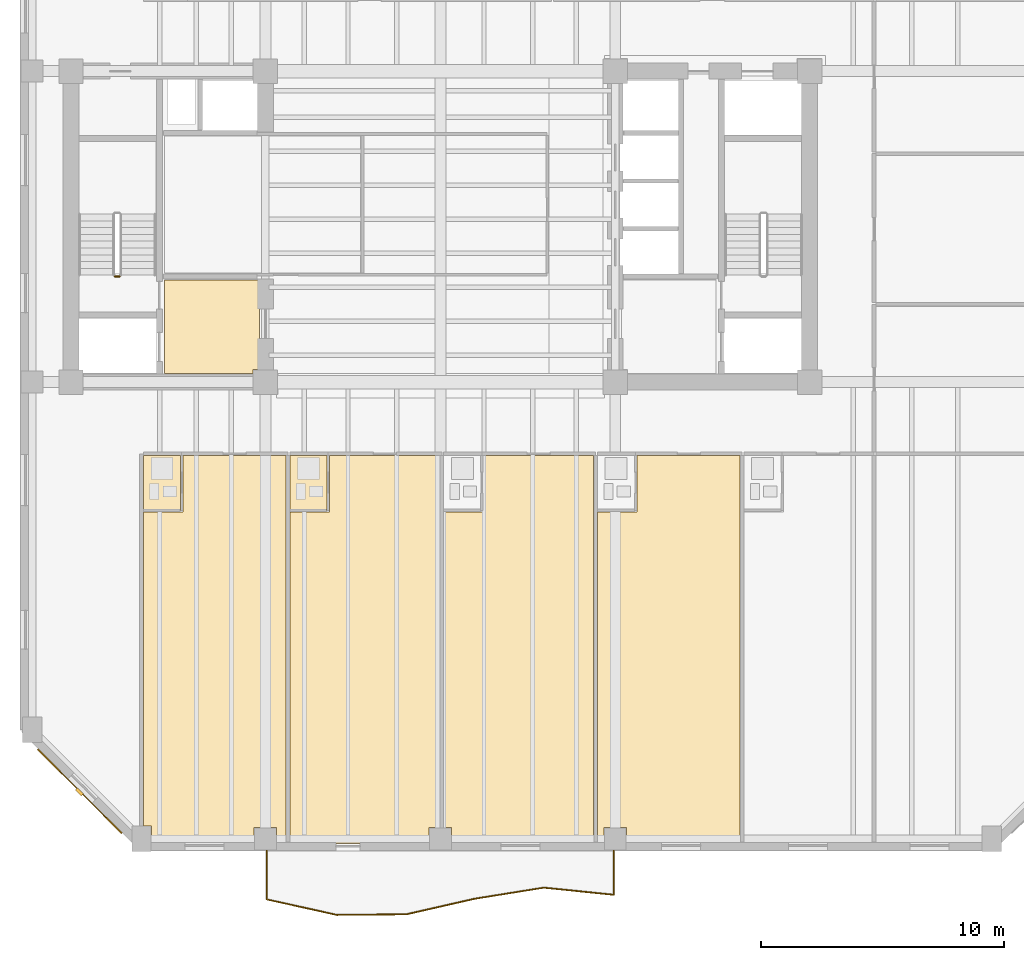
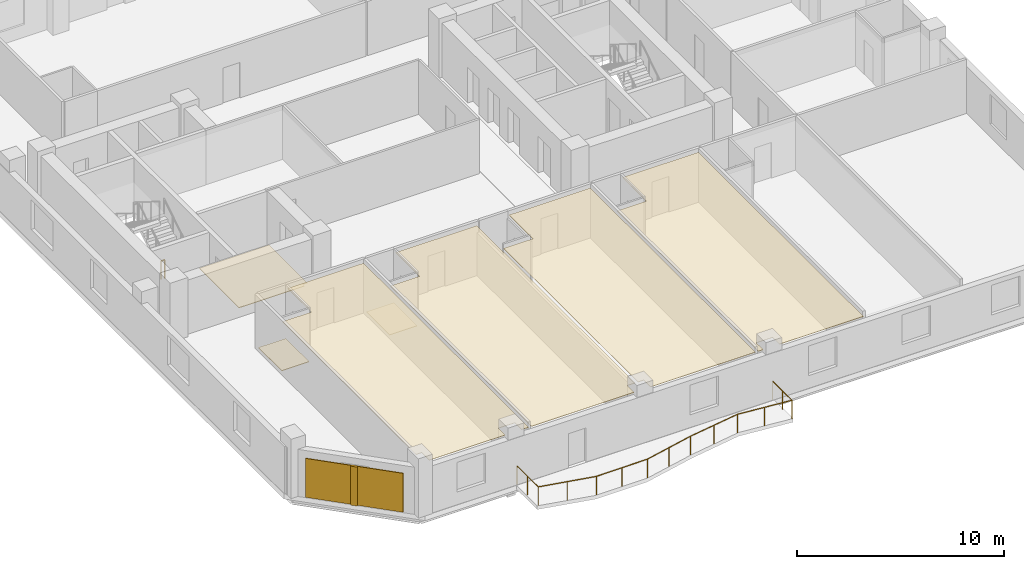
# One storey, part 7 of 10: 8 coverings, 2 railings, 1 shading device.
"""IFC4 building model written with IfcOpenShell, lengths in metres."""

from ifc_helpers import new_model, si_unit, direction, frame, origin, origin_2d, place, context, subcontext, project, spatial, polyline, rectangle, circle, outline, extrude, material, layer, layer_set, type_object, element, save


model = new_model("IFC4")

# Units and contexts
model_context = context("Model", 3, precision=1e-05, world=origin(), true_north=direction((0.0, 1.0)))
body_context = subcontext(model_context, "Body", "Model", "MODEL_VIEW")
ifc_project = project(units=[si_unit("LENGTHUNIT", "METRE"), si_unit("AREAUNIT", "SQUARE_METRE"), si_unit("VOLUMEUNIT", "CUBIC_METRE"), si_unit("PLANEANGLEUNIT", "RADIAN"), si_unit("MASSUNIT", "GRAM", prefix="KILO")], contexts=[model_context])

# Site, building, storey
site_placement = place(None, origin())
site = spatial("IfcSite", under=ifc_project, at=site_placement, CompositionType="ELEMENT")
building_placement = place(site_placement, origin())
building = spatial("IfcBuilding", under=site, at=building_placement, Name="Kranthara Brick Stack", CompositionType="ELEMENT")
storey_placement = place(building_placement, frame((0.0, 0.0, 155.300048828125)))
storey = spatial("IfcBuildingStorey", under=building, at=storey_placement, Name="L39", CompositionType="ELEMENT", Elevation=155.300048828125)

# Coverings
ifc_material_1 = material(Name="Perforated mineral-fibre acoustic ceiling tile", Category="other")
ifc_layer_1 = layer(ifc_material_1, 0.02490234375)
ifc_layer_set_1 = layer_set([ifc_layer_1], Name="Perforated mineral-fibre acoustic ceiling tile")
covering_type_1 = type_object("IfcCoveringType", Name="COV-CEIL-ACOUSTIC", PredefinedType="CEILING", material=ifc_layer_set_1)
covering_1_placement = place(storey_placement, frame((0.0, 0.0, 2.929931640625)))
element("IfcCovering", 1, at=covering_1_placement, inside=storey, type_object=covering_type_1, Name="L39 Room L39-01 Corner Junior Suite Acoustic Ceiling", PredefinedType="CEILING", context=body_context, shape_type="SweptSolid", body=[
    extrude(outline(polyline([(17.409912109375, 15.4599609375), (17.409912109375, 17.77001953125), (21.64990234375, 17.77001953125), (21.64990234375, 1.800048828125), (21.260009765625, 1.800048828125), (21.260009765625, 2.4599609375), (20.340087890625, 2.4599609375), (20.340087890625, 1.800048828125), (16.110107421875, 1.800048828125), (16.110107421875, 2.534912109375), (15.780029296875, 2.534912109375), (15.780029296875, 15.4599609375), (17.409912109375, 15.4599609375)])), origin(), (0.0, 0.0, 1.0), 0.02490234375),
])
covering_2_placement = place(storey_placement, frame((0.0, 0.0, 2.929931640625)))
element("IfcCovering", 2, at=covering_2_placement, inside=storey, type_object=covering_type_1, Name="L39 Room L39-02 Corner Junior Suite Acoustic Ceiling", PredefinedType="CEILING", context=body_context, shape_type="SweptSolid", body=[
    extrude(outline(polyline([(21.81005859375, 1.800048828125), (21.81005859375, 15.4599609375), (23.43994140625, 15.4599609375), (23.43994140625, 17.77001953125), (27.98095703125, 17.77001953125), (27.98095703125, 2.4599609375), (27.5400390625, 2.4599609375), (27.5400390625, 1.800048828125), (21.81005859375, 1.800048828125)])), origin(), (0.0, 0.0, 1.0), 0.02490234375),
])
covering_3_placement = place(storey_placement, frame((0.0, 0.0, 2.929931640625)))
element("IfcCovering", 3, at=covering_3_placement, inside=storey, type_object=covering_type_1, Name="L39 Room L39-03 Corner Junior Suite Acoustic Ceiling", PredefinedType="CEILING", context=body_context, shape_type="SweptSolid", body=[
    extrude(outline(polyline([(28.14111328125, 15.4599609375), (29.77099609375, 15.4599609375), (29.77099609375, 17.77001953125), (34.31298828125, 17.77001953125), (34.31298828125, 1.800048828125), (28.4599609375, 1.800048828125), (28.4599609375, 2.4599609375), (28.14111328125, 2.4599609375), (28.14111328125, 15.4599609375)])), origin(), (0.0, 0.0, 1.0), 0.02490234375),
])
covering_4_placement = place(storey_placement, frame((0.0, 0.0, 2.929931640625)))
element("IfcCovering", 4, at=covering_4_placement, inside=storey, type_object=covering_type_1, Name="L39 Room L39-04 Corner Junior Suite Acoustic Ceiling", PredefinedType="CEILING", context=body_context, shape_type="SweptSolid", body=[
    extrude(outline(polyline([(34.472900390625, 1.800048828125), (34.472900390625, 15.4599609375), (36.10302734375, 15.4599609375), (36.10302734375, 17.77001953125), (40.343017578125, 17.77001953125), (40.343017578125, 1.800048828125), (35.659912109375, 1.800048828125), (35.659912109375, 2.4599609375), (34.739990234375, 2.4599609375), (34.739990234375, 1.800048828125), (34.472900390625, 1.800048828125)])), origin(), (0.0, 0.0, 1.0), 0.02490234375),
])
ifc_material_2 = material(Name="Warm buff kiln-fired brick slip rainscreen", Category="masonry")
ifc_layer_2 = layer(ifc_material_2, 0.044921875)
ifc_layer_set_2 = layer_set([ifc_layer_2], Name="Warm buff kiln-fired brick slip rainscreen")
covering_type_2 = type_object("IfcCoveringType", Name="COV-CLAD-BRICK", PredefinedType="CLADDING", material=ifc_layer_set_2)
covering_5_placement = place(storey_placement, frame((13.15966796875, 3.959716796875, 0.0498046875), z_axis=(0.0, 0.0, 1.0), x_axis=(-0.707106781187, 0.707106781187, 0.0)))
element("IfcCovering", 5, at=covering_5_placement, inside=storey, type_object=covering_type_2, Name="L39 Chamfer Brick Rainscreen Cladding SW", PredefinedType="CLADDING", context=body_context, shape_type="SweptSolid", body=[
    extrude(rectangle(XDim=4.89306640625, YDim=0.044921875, at=origin_2d()), origin(), (0.0, 0.0, 1.0), 2.300048828125),
])
ifc_material_3 = material(Name="Honed terrazzo and porcelain floor finish", Category="stone")
ifc_layer_3 = layer(ifc_material_3, 0.030029296875)
ifc_layer_set_3 = layer_set([ifc_layer_3], Name="Honed terrazzo and porcelain floor finish")
covering_type_3 = type_object("IfcCoveringType", Name="COV-FLOR-STONE", PredefinedType="FLOORING", material=ifc_layer_set_3)
covering_6_placement = place(storey_placement, origin())
element("IfcCovering", 6, at=covering_6_placement, inside=storey, type_object=covering_type_3, Name="L39 Lift Lobby Stone Flooring", PredefinedType="FLOORING", context=body_context, shape_type="SweptSolid", body=[
    extrude(outline(polyline([(16.64990234375, 21.14990234375), (16.64990234375, 25.0), (20.550048828125, 25.0), (20.550048828125, 21.31005859375), (20.2900390625, 21.31005859375), (20.2900390625, 21.14990234375), (16.64990234375, 21.14990234375)])), origin(), (0.0, 0.0, 1.0), 0.030029296875),
])
covering_7_placement = place(storey_placement, origin())
element("IfcCovering", 7, at=covering_7_placement, inside=storey, type_object=covering_type_3, Name="L39 Wet Room Porcelain Flooring", PredefinedType="FLOORING", context=body_context, shape_type="SweptSolid", body=[
    extrude(outline(polyline([(15.780029296875, 15.52001953125), (15.780029296875, 17.77001953125), (17.31005859375, 17.77001953125), (17.31005859375, 15.52001953125), (15.780029296875, 15.52001953125)])), origin(), (0.0, 0.0, 1.0), 0.030029296875),
])
covering_8_placement = place(storey_placement, origin())
element("IfcCovering", 8, at=covering_8_placement, inside=storey, type_object=covering_type_3, Name="L39 Wet Room Porcelain Flooring", PredefinedType="FLOORING", context=body_context, shape_type="SweptSolid", body=[
    extrude(outline(polyline([(21.81005859375, 15.52001953125), (21.81005859375, 17.77001953125), (23.340087890625, 17.77001953125), (23.340087890625, 15.52001953125), (21.81005859375, 15.52001953125)])), origin(), (0.0, 0.0, 1.0), 0.030029296875),
])

# Railings
ifc_material_4 = material(Name="Bronze anodised aluminium and laminated glass balustrade", Category="aluminium")
railing_type_1 = type_object("IfcRailingType", Name="RL-BALC-1120", PredefinedType="BALUSTRADE", material=ifc_material_4)
railing_1_placement = place(storey_placement, frame((35.139892578125, 1.56005859375, 0.0)))
element("IfcRailing", 9, at=railing_1_placement, inside=storey, type_object=railing_type_1, Name="L39 South Rippling Balcony Balustrade", PredefinedType="BALUSTRADE", context=body_context, shape_type="SweptSolid", body=[
    extrude(circle(Radius=0.02392578125, at=origin_2d()), frame((0.0, 0.0, 1.09619140625), z_axis=(0.0, -1.0, 0.0), x_axis=(1.0, 0.0, 0.0)), (0.0, 0.0, 1.0), 1.86181640625),
    extrude(circle(Radius=0.02392578125, at=origin_2d()), frame((0.0, -1.86181640625, 1.09619140625), z_axis=(-0.994865383527, 0.101207058345, 0.0), x_axis=(-0.101207058345, -0.994865383527, 0.0)), (0.0, 0.0, 1.0), 2.894775390625),
    extrude(circle(Radius=0.02392578125, at=origin_2d()), frame((-2.8798828125, -1.56884765625, 1.09619140625), z_axis=(-0.987308568613, -0.158813696962, 0.0), x_axis=(0.158813696962, -0.987308568613, 0.0)), (0.0, 0.0, 1.0), 2.914794921875),
    extrude(circle(Radius=0.02392578125, at=origin_2d()), frame((-5.757568359375, -2.03173828125, 1.09619140625), z_axis=(-0.974937787518, -0.222477662856, 0.0), x_axis=(0.222477662856, -0.974937787518, 0.0)), (0.0, 0.0, 1.0), 2.845458984375),
    extrude(circle(Radius=0.02392578125, at=origin_2d()), frame((-8.53173828125, -2.664794921875, 1.09619140625), z_axis=(-0.999961613883, -0.008761892491, 0.0), x_axis=(0.008761892491, -0.999961613883, 0.0)), (0.0, 0.0, 1.0), 2.869873046875),
    extrude(circle(Radius=0.02392578125, at=origin_2d()), frame((-11.401611328125, -2.68994140625, 1.09619140625), z_axis=(-0.976274656668, 0.216535897132, 0.0), x_axis=(-0.216535897132, -0.976274656668, 0.0)), (0.0, 0.0, 1.0), 2.948486328125),
    extrude(circle(Radius=0.02392578125, at=origin_2d()), frame((-14.280029296875, -2.051513671875, 1.09619140625), z_axis=(0.000119005116, 0.999999992919, 0.0), x_axis=(-0.999999992919, 0.000119005116, 0.0)), (0.0, 0.0, 1.0), 2.051513671875),
    extrude(circle(Radius=0.02099609375, at=origin_2d()), origin(), (0.0, 0.0, 1.0), 1.072021484375),
    extrude(circle(Radius=0.02099609375, at=origin_2d()), frame((0.0, -0.930908203125, 0.0)), (0.0, 0.0, 1.0), 1.072021484375),
    extrude(circle(Radius=0.02099609375, at=origin_2d()), frame((0.0, -1.86181640625, 0.0)), (0.0, 0.0, 1.0), 1.072021484375),
    extrude(circle(Radius=0.02099609375, at=origin_2d()), frame((-1.43994140625, -1.71533203125, 0.0)), (0.0, 0.0, 1.0), 1.072021484375),
    extrude(circle(Radius=0.02099609375, at=origin_2d()), frame((-2.8798828125, -1.56884765625, 0.0)), (0.0, 0.0, 1.0), 1.072021484375),
    extrude(circle(Radius=0.02099609375, at=origin_2d()), frame((-4.31884765625, -1.80029296875, 0.0)), (0.0, 0.0, 1.0), 1.072021484375),
    extrude(circle(Radius=0.02099609375, at=origin_2d()), frame((-5.757568359375, -2.03173828125, 0.0)), (0.0, 0.0, 1.0), 1.072021484375),
    extrude(circle(Radius=0.02099609375, at=origin_2d()), frame((-7.14453125, -2.34814453125, 0.0)), (0.0, 0.0, 1.0), 1.072021484375),
    extrude(circle(Radius=0.02099609375, at=origin_2d()), frame((-8.53173828125, -2.664794921875, 0.0)), (0.0, 0.0, 1.0), 1.072021484375),
    extrude(circle(Radius=0.02099609375, at=origin_2d()), frame((-9.966796875, -2.67724609375, 0.0)), (0.0, 0.0, 1.0), 1.072021484375),
    extrude(circle(Radius=0.02099609375, at=origin_2d()), frame((-11.401611328125, -2.68994140625, 0.0)), (0.0, 0.0, 1.0), 1.072021484375),
    extrude(circle(Radius=0.02099609375, at=origin_2d()), frame((-12.8408203125, -2.37060546875, 0.0)), (0.0, 0.0, 1.0), 1.072021484375),
    extrude(circle(Radius=0.02099609375, at=origin_2d()), frame((-14.280029296875, -2.051513671875, 0.0)), (0.0, 0.0, 1.0), 1.072021484375),
    extrude(circle(Radius=0.02099609375, at=origin_2d()), frame((-14.27978515625, -1.02587890625, 0.0)), (0.0, 0.0, 1.0), 1.072021484375),
    extrude(circle(Radius=0.02099609375, at=origin_2d()), frame((-14.27978515625, 0.0, 0.0)), (0.0, 0.0, 1.0), 1.072021484375),
])
ifc_material_5 = material(Name="Painted galvanized steel stair guardrail", Category="steel")
railing_type_2 = type_object("IfcRailingType", Name="RL-STAIR-GUARD-1100", PredefinedType="GUARDRAIL", material=ifc_material_5)
railing_2_placement = place(storey_placement, frame((14.800048828125, 25.14990234375, 0.0)))
element("IfcRailing", 10, at=railing_2_placement, inside=storey, type_object=railing_type_2, Name="L39 ST01 stair guard 4", PredefinedType="GUARDRAIL", context=body_context, shape_type="SweptSolid", body=[
    extrude(circle(Radius=0.02392578125, at=origin_2d()), frame((0.0, 0.0, 1.076171875), z_axis=(-1.0, 0.0, 0.0), x_axis=(0.0, -1.0, 0.0)), (0.0, 0.0, 1.0), 0.199951171875),
    extrude(circle(Radius=0.02099609375, at=origin_2d()), origin(), (0.0, 0.0, 1.0), 1.052001953125),
    extrude(circle(Radius=0.02099609375, at=origin_2d()), frame((-0.199951171875, 0.0, 0.0)), (0.0, 0.0, 1.0), 1.052001953125),
])

# Shading device
ifc_material_6 = material(Name="Kiln-fired terracotta aerodynamic wind fin", Category="masonry")
shading_device_type = type_object("IfcShadingDeviceType", Name="SHD-BAFFLE-CORNER", PredefinedType="SHUTTER", material=ifc_material_6)
shading_device_placement = place(storey_placement, frame((13.138427734375, 3.9384765625, 0.0498046875), z_axis=(0.0, 0.0, 1.0), x_axis=(-0.707106781187, 0.707106781187, 0.0)))
element("IfcShadingDevice", 11, at=shading_device_placement, inside=storey, type_object=shading_device_type, Name="L39 Chamfer Wind-Baffle Fin SW", PredefinedType="SHUTTER", context=body_context, shape_type="SweptSolid", body=[
    extrude(rectangle(XDim=0.35009765625, YDim=0.1201171875, at=origin_2d()), origin(), (0.0, 0.0, 1.0), 2.300048828125),
])

save(model, "model.ifc")
